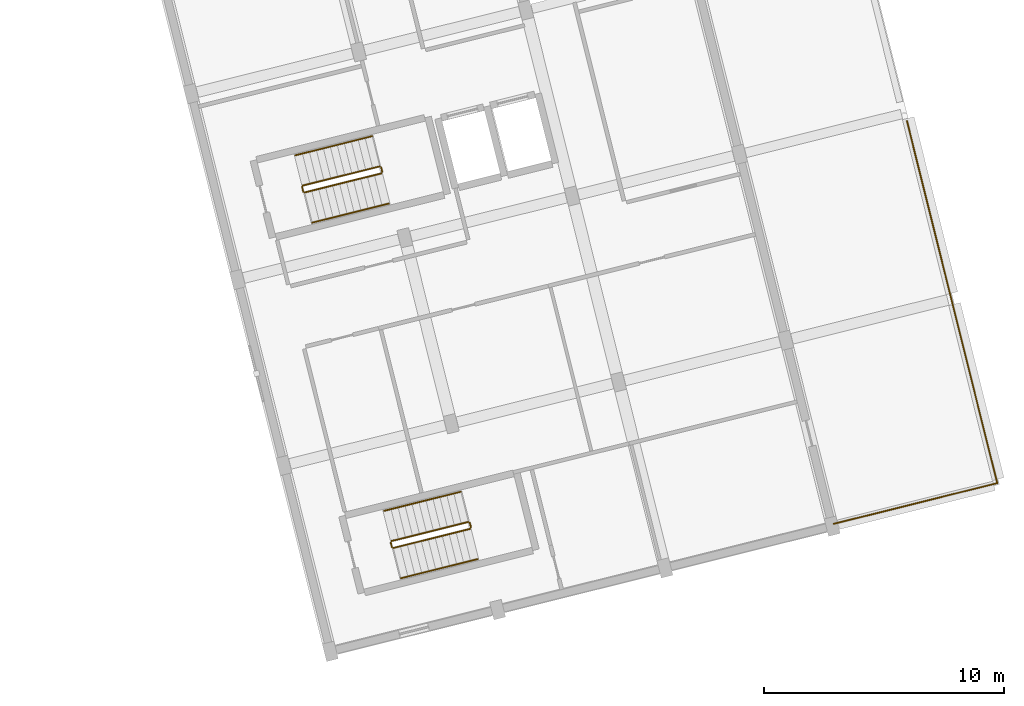
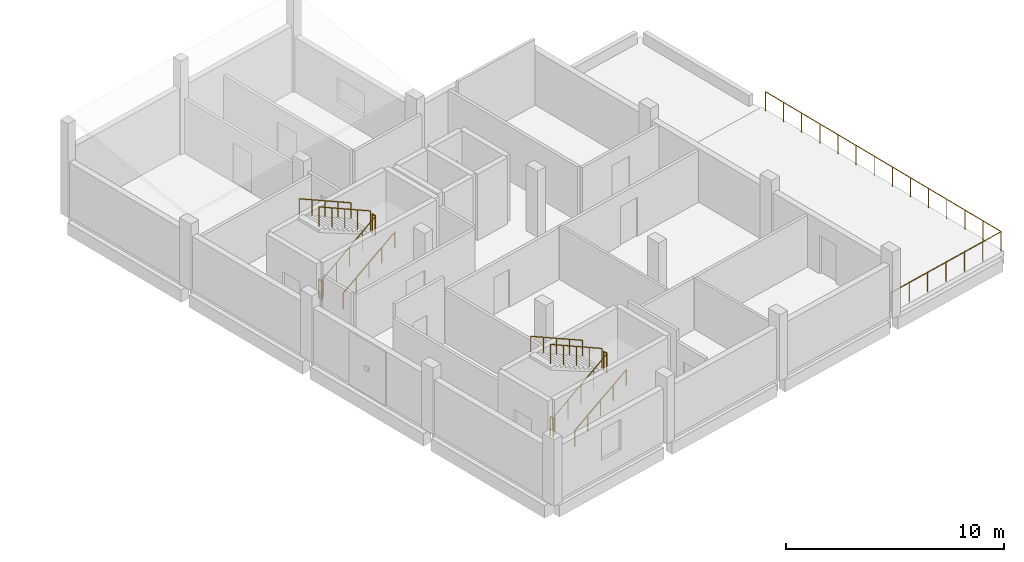
# One storey, part 14 of 14: 14 railings.
"""IFC4 building model written with IfcOpenShell, lengths in metres."""

from ifc_helpers import new_model, si_unit, direction, frame, origin, origin_2d, place, context, subcontext, project, spatial, circle, extrude, material, type_object, element, save


model = new_model("IFC4")

# Units and contexts
model_context = context("Model", 3, precision=1e-05, world=origin(), true_north=direction((0.0, 1.0)))
body_context = subcontext(model_context, "Body", "Model", "MODEL_VIEW")
ifc_project = project(units=[si_unit("LENGTHUNIT", "METRE"), si_unit("AREAUNIT", "SQUARE_METRE"), si_unit("VOLUMEUNIT", "CUBIC_METRE"), si_unit("PLANEANGLEUNIT", "RADIAN"), si_unit("MASSUNIT", "GRAM", prefix="KILO")], contexts=[model_context])

# Site, building, storey
site_placement = place(None, origin())
site = spatial("IfcSite", under=ifc_project, at=site_placement, CompositionType="ELEMENT")
building_placement = place(site_placement, origin())
building = spatial("IfcBuilding", under=site, at=building_placement, Name="Mawjan Specialist Oncology Clinic", CompositionType="ELEMENT")
storey_placement = place(building_placement, frame((0.0, 0.0, 17.5)))
storey = spatial("IfcBuildingStorey", under=building, at=storey_placement, Name="L04", CompositionType="ELEMENT", Elevation=17.5)

# Railings
ifc_material_1 = material(Name="Laminated glass and stainless-steel balustrade", Category="steel")
railing_type_1 = type_object("IfcRailingType", Name="BL-110", PredefinedType="BALUSTRADE", material=ifc_material_1)
railing_1_placement = place(storey_placement, frame((150.078369140625, 22.94287109375, 0.0)))
element("IfcRailing", 1, at=railing_1_placement, inside=storey, type_object=railing_type_1, Name="L04 Terrace Edge Balustrade 13", PredefinedType="BALUSTRADE", context=body_context, shape_type="SweptSolid", body=[
    extrude(circle(Radius=0.02392578125, at=origin_2d()), frame((0.0, 0.0, 1.076171875), z_axis=(0.241930895864, -0.970293482214, 0.0), x_axis=(0.970293482214, 0.241930895864, 0.0)), (0.0, 0.0, 1.0), 15.580078125),
    extrude(circle(Radius=0.02099609375, at=origin_2d()), origin(), (0.0, 0.0, 1.0), 1.052001953125),
    extrude(circle(Radius=0.02099609375, at=origin_2d()), frame((0.2900390625, -1.162841796875, 0.0)), (0.0, 0.0, 1.0), 1.052001953125),
    extrude(circle(Radius=0.02099609375, at=origin_2d()), frame((0.579833984375, -2.32568359375, 0.0)), (0.0, 0.0, 1.0), 1.052001953125),
    extrude(circle(Radius=0.02099609375, at=origin_2d()), frame((0.869873046875, -3.488525390625, 0.0)), (0.0, 0.0, 1.0), 1.052001953125),
    extrude(circle(Radius=0.02099609375, at=origin_2d()), frame((1.15966796875, -4.6513671875, 0.0)), (0.0, 0.0, 1.0), 1.052001953125),
    extrude(circle(Radius=0.02099609375, at=origin_2d()), frame((1.44970703125, -5.814208984375, 0.0)), (0.0, 0.0, 1.0), 1.052001953125),
    extrude(circle(Radius=0.02099609375, at=origin_2d()), frame((1.73974609375, -6.97705078125, 0.0)), (0.0, 0.0, 1.0), 1.052001953125),
    extrude(circle(Radius=0.02099609375, at=origin_2d()), frame((2.029541015625, -8.14013671875, 0.0)), (0.0, 0.0, 1.0), 1.052001953125),
    extrude(circle(Radius=0.02099609375, at=origin_2d()), frame((2.319580078125, -9.302978515625, 0.0)), (0.0, 0.0, 1.0), 1.052001953125),
    extrude(circle(Radius=0.02099609375, at=origin_2d()), frame((2.609619140625, -10.4658203125, 0.0)), (0.0, 0.0, 1.0), 1.052001953125),
    extrude(circle(Radius=0.02099609375, at=origin_2d()), frame((2.8994140625, -11.628662109375, 0.0)), (0.0, 0.0, 1.0), 1.052001953125),
    extrude(circle(Radius=0.02099609375, at=origin_2d()), frame((3.189453125, -12.79150390625, 0.0)), (0.0, 0.0, 1.0), 1.052001953125),
    extrude(circle(Radius=0.02099609375, at=origin_2d()), frame((3.479248046875, -13.954345703125, 0.0)), (0.0, 0.0, 1.0), 1.052001953125),
    extrude(circle(Radius=0.02099609375, at=origin_2d()), frame((3.769287109375, -15.1171875, 0.0)), (0.0, 0.0, 1.0), 1.052001953125),
])
railing_2_placement = place(storey_placement, frame((153.84765625, 7.82568359375, 0.0)))
element("IfcRailing", 2, at=railing_2_placement, inside=storey, type_object=railing_type_1, Name="L04 Terrace Edge Balustrade 14", PredefinedType="BALUSTRADE", context=body_context, shape_type="SweptSolid", body=[
    extrude(circle(Radius=0.02392578125, at=origin_2d()), frame((0.0, 0.0, 1.076171875), z_axis=(-0.970297334108, -0.241915446846, 0.0), x_axis=(0.241915446846, -0.970297334108, 0.0)), (0.0, 0.0, 1.0), 7.040283203125),
    extrude(circle(Radius=0.02099609375, at=origin_2d()), origin(), (0.0, 0.0, 1.0), 1.052001953125),
    extrude(circle(Radius=0.02099609375, at=origin_2d()), frame((-1.138427734375, -0.283935546875, 0.0)), (0.0, 0.0, 1.0), 1.052001953125),
    extrude(circle(Radius=0.02099609375, at=origin_2d()), frame((-2.277099609375, -0.567626953125, 0.0)), (0.0, 0.0, 1.0), 1.052001953125),
    extrude(circle(Radius=0.02099609375, at=origin_2d()), frame((-3.41552734375, -0.8515625, 0.0)), (0.0, 0.0, 1.0), 1.052001953125),
    extrude(circle(Radius=0.02099609375, at=origin_2d()), frame((-4.553955078125, -1.135498046875, 0.0)), (0.0, 0.0, 1.0), 1.052001953125),
    extrude(circle(Radius=0.02099609375, at=origin_2d()), frame((-5.692626953125, -1.419189453125, 0.0)), (0.0, 0.0, 1.0), 1.052001953125),
    extrude(circle(Radius=0.02099609375, at=origin_2d()), frame((-6.8310546875, -1.703125, 0.0)), (0.0, 0.0, 1.0), 1.052001953125),
])
ifc_material_2 = material(Name="Powder-coated steel stair guard with vertical infill pickets", Category="steel")
railing_type_2 = type_object("IfcRailingType", Name="GR-110", PredefinedType="GUARDRAIL", material=ifc_material_2)
railing_3_placement = place(storey_placement, frame((124.932861328125, 19.9609375, 0.166748046875)))
element("IfcRailing", 3, at=railing_3_placement, inside=storey, type_object=railing_type_2, Name="L04 ST-05 stair guard 1", PredefinedType="GUARDRAIL", context=body_context, shape_type="SweptSolid", body=[
    extrude(circle(Radius=0.02392578125, at=origin_2d()), frame((0.0, 0.0, 1.076171875), z_axis=(0.848194742127, 0.211482791213, 0.485634336152), x_axis=(-0.24192630068, 0.970294627956, 0.0)), (0.0, 0.0, 1.0), 3.77490234375),
    extrude(circle(Radius=0.02099609375, at=origin_2d()), origin(), (0.0, 0.0, 1.0), 1.052001953125),
    extrude(circle(Radius=0.02099609375, at=origin_2d()), frame((0.800537109375, 0.19970703125, 0.458251953125)), (0.0, 0.0, 1.0), 1.052001953125),
    extrude(circle(Radius=0.02099609375, at=origin_2d()), frame((1.60107421875, 0.399169921875, 0.91650390625)), (0.0, 0.0, 1.0), 1.052001953125),
    extrude(circle(Radius=0.02099609375, at=origin_2d()), frame((2.4013671875, 0.5986328125, 1.375)), (0.0, 0.0, 1.0), 1.052001953125),
    extrude(circle(Radius=0.02099609375, at=origin_2d()), frame((3.201904296875, 0.79833984375, 1.833251953125)), (0.0, 0.0, 1.0), 1.052001953125),
])
railing_4_placement = place(storey_placement, frame((128.171142578125, 20.81982421875, 2.0)))
element("IfcRailing", 4, at=railing_4_placement, inside=storey, type_object=railing_type_2, Name="L04 ST-05 stair guard 2", PredefinedType="GUARDRAIL", context=body_context, shape_type="SweptSolid", body=[
    extrude(circle(Radius=0.02392578125, at=origin_2d()), frame((0.0, 0.0, 1.076171875), z_axis=(-0.241673946692, 0.970357513234, 0.0), x_axis=(-0.970357513234, -0.241673946692, 0.0)), (0.0, 0.0, 1.0), 0.199951171875),
    extrude(circle(Radius=0.02099609375, at=origin_2d()), origin(), (0.0, 0.0, 1.0), 1.052001953125),
    extrude(circle(Radius=0.02099609375, at=origin_2d()), frame((-0.04833984375, 0.194091796875, 0.0)), (0.0, 0.0, 1.0), 1.052001953125),
])
railing_5_placement = place(storey_placement, frame((128.062255859375, 21.050537109375, 2.166748046875)))
element("IfcRailing", 5, at=railing_5_placement, inside=storey, type_object=railing_type_2, Name="L04 ST-05 stair guard 3", PredefinedType="GUARDRAIL", context=body_context, shape_type="SweptSolid", body=[
    extrude(circle(Radius=0.02392578125, at=origin_2d()), frame((0.0, 0.0, 1.076171875), z_axis=(-0.848194742127, -0.211482791213, 0.485634336152), x_axis=(0.24192630068, -0.970294627956, 0.0)), (0.0, 0.0, 1.0), 3.77490234375),
    extrude(circle(Radius=0.02099609375, at=origin_2d()), origin(), (0.0, 0.0, 1.0), 1.052001953125),
    extrude(circle(Radius=0.02099609375, at=origin_2d()), frame((-0.800537109375, -0.19970703125, 0.458251953125)), (0.0, 0.0, 1.0), 1.052001953125),
    extrude(circle(Radius=0.02099609375, at=origin_2d()), frame((-1.60107421875, -0.399169921875, 0.91650390625)), (0.0, 0.0, 1.0), 1.052001953125),
    extrude(circle(Radius=0.02099609375, at=origin_2d()), frame((-2.4013671875, -0.5986328125, 1.375)), (0.0, 0.0, 1.0), 1.052001953125),
    extrude(circle(Radius=0.02099609375, at=origin_2d()), frame((-3.201904296875, -0.79833984375, 1.833251953125)), (0.0, 0.0, 1.0), 1.052001953125),
])
railing_6_placement = place(storey_placement, frame((124.872314453125, 19.997314453125, 0.0)))
element("IfcRailing", 6, at=railing_6_placement, inside=storey, type_object=railing_type_2, Name="L04 ST-05 stair guard 4", PredefinedType="GUARDRAIL", context=body_context, shape_type="SweptSolid", body=[
    extrude(circle(Radius=0.02392578125, at=origin_2d()), frame((0.0, 0.0, 1.076171875), z_axis=(-0.242822723755, 0.970070680326, 0.0), x_axis=(-0.970070680326, -0.242822723755, 0.0)), (0.0, 0.0, 1.0), 0.2001953125),
    extrude(circle(Radius=0.02099609375, at=origin_2d()), origin(), (0.0, 0.0, 1.0), 1.052001953125),
    extrude(circle(Radius=0.02099609375, at=origin_2d()), frame((-0.048583984375, 0.194091796875, 0.0)), (0.0, 0.0, 1.0), 1.052001953125),
])
railing_7_placement = place(storey_placement, frame((128.63427734375, 5.115478515625, 0.166748046875)))
element("IfcRailing", 7, at=railing_7_placement, inside=storey, type_object=railing_type_2, Name="L04 ST-06 stair guard 1", PredefinedType="GUARDRAIL", context=body_context, shape_type="SweptSolid", body=[
    extrude(circle(Radius=0.02392578125, at=origin_2d()), frame((0.0, 0.0, 1.076171875), z_axis=(0.848194742127, 0.211482791213, 0.485634336152), x_axis=(-0.24192630068, 0.970294627956, 0.0)), (0.0, 0.0, 1.0), 3.77490234375),
    extrude(circle(Radius=0.02099609375, at=origin_2d()), origin(), (0.0, 0.0, 1.0), 1.052001953125),
    extrude(circle(Radius=0.02099609375, at=origin_2d()), frame((0.800537109375, 0.19970703125, 0.458251953125)), (0.0, 0.0, 1.0), 1.052001953125),
    extrude(circle(Radius=0.02099609375, at=origin_2d()), frame((1.60107421875, 0.399169921875, 0.91650390625)), (0.0, 0.0, 1.0), 1.052001953125),
    extrude(circle(Radius=0.02099609375, at=origin_2d()), frame((2.4013671875, 0.5986328125, 1.375)), (0.0, 0.0, 1.0), 1.052001953125),
    extrude(circle(Radius=0.02099609375, at=origin_2d()), frame((3.201904296875, 0.79833984375, 1.833251953125)), (0.0, 0.0, 1.0), 1.052001953125),
])
railing_8_placement = place(storey_placement, frame((131.87255859375, 5.974365234375, 2.0)))
element("IfcRailing", 8, at=railing_8_placement, inside=storey, type_object=railing_type_2, Name="L04 ST-06 stair guard 2", PredefinedType="GUARDRAIL", context=body_context, shape_type="SweptSolid", body=[
    extrude(circle(Radius=0.02392578125, at=origin_2d()), frame((0.0, 0.0, 1.076171875), z_axis=(-0.241673946692, 0.970357513234, 0.0), x_axis=(-0.970357513234, -0.241673946692, 0.0)), (0.0, 0.0, 1.0), 0.199951171875),
    extrude(circle(Radius=0.02099609375, at=origin_2d()), origin(), (0.0, 0.0, 1.0), 1.052001953125),
    extrude(circle(Radius=0.02099609375, at=origin_2d()), frame((-0.04833984375, 0.194091796875, 0.0)), (0.0, 0.0, 1.0), 1.052001953125),
])
railing_9_placement = place(storey_placement, frame((131.763671875, 6.204833984375, 2.166748046875)))
element("IfcRailing", 9, at=railing_9_placement, inside=storey, type_object=railing_type_2, Name="L04 ST-06 stair guard 3", PredefinedType="GUARDRAIL", context=body_context, shape_type="SweptSolid", body=[
    extrude(circle(Radius=0.02392578125, at=origin_2d()), frame((0.0, 0.0, 1.076171875), z_axis=(-0.848194742127, -0.211482791213, 0.485634336152), x_axis=(0.24192630068, -0.970294627956, 0.0)), (0.0, 0.0, 1.0), 3.77490234375),
    extrude(circle(Radius=0.02099609375, at=origin_2d()), origin(), (0.0, 0.0, 1.0), 1.052001953125),
    extrude(circle(Radius=0.02099609375, at=origin_2d()), frame((-0.800537109375, -0.19970703125, 0.458251953125)), (0.0, 0.0, 1.0), 1.052001953125),
    extrude(circle(Radius=0.02099609375, at=origin_2d()), frame((-1.60107421875, -0.399169921875, 0.91650390625)), (0.0, 0.0, 1.0), 1.052001953125),
    extrude(circle(Radius=0.02099609375, at=origin_2d()), frame((-2.4013671875, -0.5986328125, 1.375)), (0.0, 0.0, 1.0), 1.052001953125),
    extrude(circle(Radius=0.02099609375, at=origin_2d()), frame((-3.201904296875, -0.79833984375, 1.833251953125)), (0.0, 0.0, 1.0), 1.052001953125),
])
railing_10_placement = place(storey_placement, frame((128.57373046875, 5.15185546875, 0.0)))
element("IfcRailing", 10, at=railing_10_placement, inside=storey, type_object=railing_type_2, Name="L04 ST-06 stair guard 4", PredefinedType="GUARDRAIL", context=body_context, shape_type="SweptSolid", body=[
    extrude(circle(Radius=0.02392578125, at=origin_2d()), frame((0.0, 0.0, 1.076171875), z_axis=(-0.242822723755, 0.970070680326, 0.0), x_axis=(-0.970070680326, -0.242822723755, 0.0)), (0.0, 0.0, 1.0), 0.2001953125),
    extrude(circle(Radius=0.02099609375, at=origin_2d()), origin(), (0.0, 0.0, 1.0), 1.052001953125),
    extrude(circle(Radius=0.02099609375, at=origin_2d()), frame((-0.048583984375, 0.194091796875, 0.0)), (0.0, 0.0, 1.0), 1.052001953125),
])
ifc_material_3 = material(Name="Brushed stainless-steel tubular handrail", Category="steel")
railing_type_3 = type_object("IfcRailingType", Name="HR-090", PredefinedType="HANDRAIL", material=ifc_material_3)
railing_11_placement = place(storey_placement, frame((125.247314453125, 18.69970703125, 0.166748046875)))
element("IfcRailing", 11, at=railing_11_placement, inside=storey, type_object=railing_type_3, Name="L04 ST-05 stair handrail 1", PredefinedType="HANDRAIL", context=body_context, shape_type="SweptSolid", body=[
    extrude(circle(Radius=0.02392578125, at=origin_2d()), frame((0.0, 0.0, 0.8759765625), z_axis=(0.848194742127, 0.211482791213, 0.485634336152), x_axis=(-0.24192630068, 0.970294627956, 0.0)), (0.0, 0.0, 1.0), 3.77490234375),
    extrude(circle(Radius=0.02099609375, at=origin_2d()), origin(), (0.0, 0.0, 1.0), 0.851806640625),
    extrude(circle(Radius=0.02099609375, at=origin_2d()), frame((0.800537109375, 0.19970703125, 0.458251953125)), (0.0, 0.0, 1.0), 0.851806640625),
    extrude(circle(Radius=0.02099609375, at=origin_2d()), frame((1.60107421875, 0.399169921875, 0.91650390625)), (0.0, 0.0, 1.0), 0.851806640625),
    extrude(circle(Radius=0.02099609375, at=origin_2d()), frame((2.4013671875, 0.5986328125, 1.375)), (0.0, 0.0, 1.0), 0.851806640625),
    extrude(circle(Radius=0.02099609375, at=origin_2d()), frame((3.201904296875, 0.79833984375, 1.833251953125)), (0.0, 0.0, 1.0), 0.851806640625),
])
railing_12_placement = place(storey_placement, frame((127.747802734375, 22.311767578125, 2.166748046875)))
element("IfcRailing", 12, at=railing_12_placement, inside=storey, type_object=railing_type_3, Name="L04 ST-05 stair handrail 2", PredefinedType="HANDRAIL", context=body_context, shape_type="SweptSolid", body=[
    extrude(circle(Radius=0.02392578125, at=origin_2d()), frame((0.0, 0.0, 0.8759765625), z_axis=(-0.848212885837, -0.211471190659, 0.485607697449), x_axis=(0.241908934998, -0.970298957625, 0.0)), (0.0, 0.0, 1.0), 3.775146484375),
    extrude(circle(Radius=0.02099609375, at=origin_2d()), origin(), (0.0, 0.0, 1.0), 0.851806640625),
    extrude(circle(Radius=0.02099609375, at=origin_2d()), frame((-0.800537109375, -0.19970703125, 0.458251953125)), (0.0, 0.0, 1.0), 0.851806640625),
    extrude(circle(Radius=0.02099609375, at=origin_2d()), frame((-1.60107421875, -0.399169921875, 0.91650390625)), (0.0, 0.0, 1.0), 0.851806640625),
    extrude(circle(Radius=0.02099609375, at=origin_2d()), frame((-2.401611328125, -0.5986328125, 1.375)), (0.0, 0.0, 1.0), 0.851806640625),
    extrude(circle(Radius=0.02099609375, at=origin_2d()), frame((-3.2021484375, -0.79833984375, 1.833251953125)), (0.0, 0.0, 1.0), 0.851806640625),
])
railing_13_placement = place(storey_placement, frame((128.94873046875, 3.85400390625, 0.166748046875)))
element("IfcRailing", 13, at=railing_13_placement, inside=storey, type_object=railing_type_3, Name="L04 ST-06 stair handrail 1", PredefinedType="HANDRAIL", context=body_context, shape_type="SweptSolid", body=[
    extrude(circle(Radius=0.02392578125, at=origin_2d()), frame((0.0, 0.0, 0.8759765625), z_axis=(0.848194742127, 0.211482791213, 0.485634336152), x_axis=(-0.24192630068, 0.970294627956, 0.0)), (0.0, 0.0, 1.0), 3.77490234375),
    extrude(circle(Radius=0.02099609375, at=origin_2d()), origin(), (0.0, 0.0, 1.0), 0.851806640625),
    extrude(circle(Radius=0.02099609375, at=origin_2d()), frame((0.800537109375, 0.19970703125, 0.458251953125)), (0.0, 0.0, 1.0), 0.851806640625),
    extrude(circle(Radius=0.02099609375, at=origin_2d()), frame((1.60107421875, 0.399169921875, 0.91650390625)), (0.0, 0.0, 1.0), 0.851806640625),
    extrude(circle(Radius=0.02099609375, at=origin_2d()), frame((2.4013671875, 0.5986328125, 1.375)), (0.0, 0.0, 1.0), 0.851806640625),
    extrude(circle(Radius=0.02099609375, at=origin_2d()), frame((3.201904296875, 0.79833984375, 1.833251953125)), (0.0, 0.0, 1.0), 0.851806640625),
])
railing_14_placement = place(storey_placement, frame((131.44921875, 7.46630859375, 2.166748046875)))
element("IfcRailing", 14, at=railing_14_placement, inside=storey, type_object=railing_type_3, Name="L04 ST-06 stair handrail 2", PredefinedType="HANDRAIL", context=body_context, shape_type="SweptSolid", body=[
    extrude(circle(Radius=0.02392578125, at=origin_2d()), frame((0.0, 0.0, 0.8759765625), z_axis=(-0.848212885837, -0.211471190659, 0.485607697449), x_axis=(0.241908934998, -0.970298957625, 0.0)), (0.0, 0.0, 1.0), 3.775146484375),
    extrude(circle(Radius=0.02099609375, at=origin_2d()), origin(), (0.0, 0.0, 1.0), 0.851806640625),
    extrude(circle(Radius=0.02099609375, at=origin_2d()), frame((-0.800537109375, -0.19970703125, 0.458251953125)), (0.0, 0.0, 1.0), 0.851806640625),
    extrude(circle(Radius=0.02099609375, at=origin_2d()), frame((-1.60107421875, -0.399169921875, 0.91650390625)), (0.0, 0.0, 1.0), 0.851806640625),
    extrude(circle(Radius=0.02099609375, at=origin_2d()), frame((-2.401611328125, -0.5986328125, 1.375)), (0.0, 0.0, 1.0), 0.851806640625),
    extrude(circle(Radius=0.02099609375, at=origin_2d()), frame((-3.2021484375, -0.79833984375, 1.833251953125)), (0.0, 0.0, 1.0), 0.851806640625),
])

save(model, "model.ifc")
